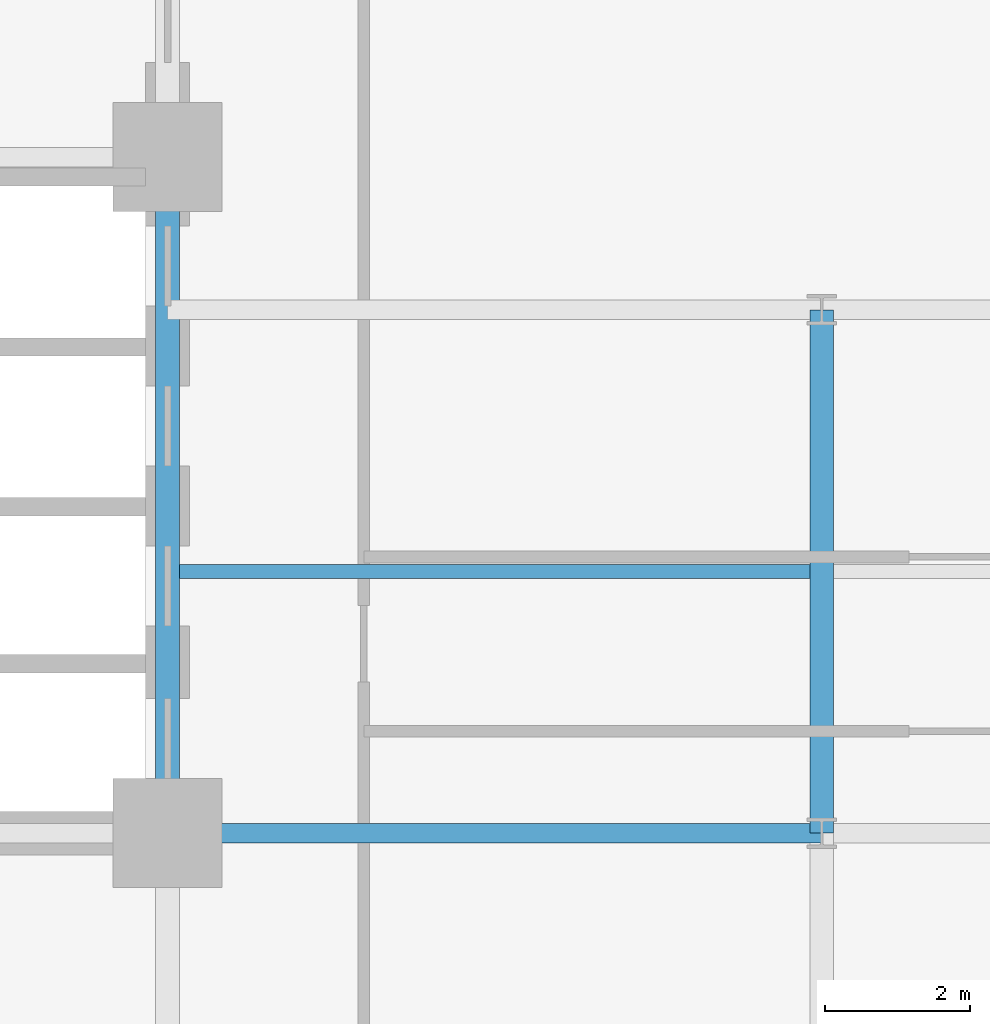
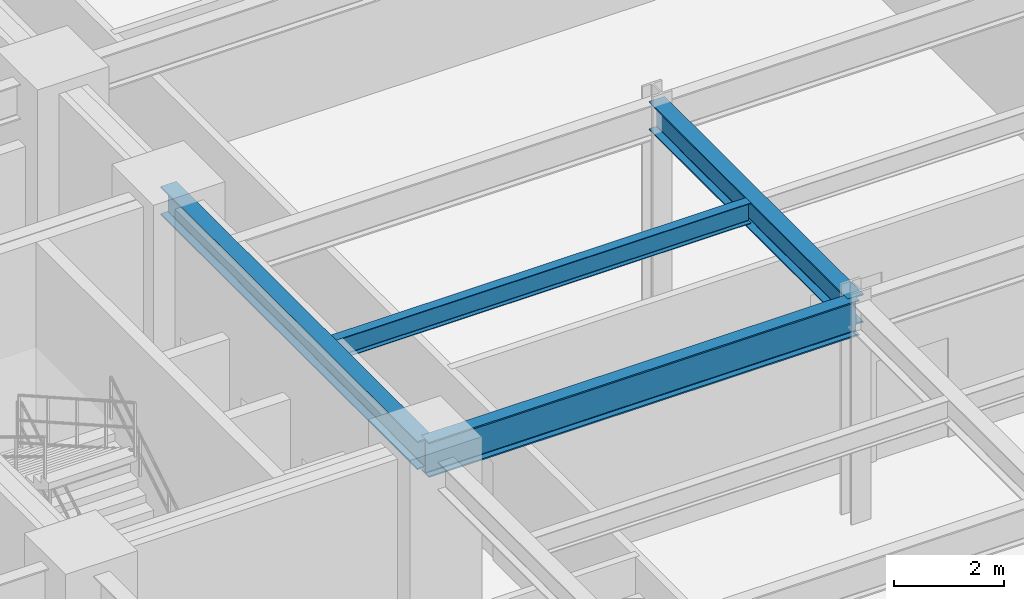
# One storey, part 7 of 23: 4 beams.
"""IFC4 building model written with IfcOpenShell, lengths in metres."""

from ifc_helpers import new_model, entity, si_unit, converted_unit, direction, frame, origin_with_axes, origin_2d_with_axis, place, context, subcontext, project, spatial, i_section, extrude, material, material_profile, profile_set, type_object, element, save


model = new_model("IFC4")

# Units and contexts
model_context = context("Model", 3, precision=1e-05, world=origin_with_axes(), true_north=direction((0.0, 1.0)))
body_context = subcontext(model_context, "Body", "Model", "MODEL_VIEW")
ifc_project = project(units=[si_unit("LENGTHUNIT", "METRE"), si_unit("AREAUNIT", "SQUARE_METRE"), si_unit("VOLUMEUNIT", "CUBIC_METRE"), converted_unit("PLANEANGLEUNIT", "DEGREE", entity("IfcPlaneAngleMeasure", 0.017453292519943295), si_unit("PLANEANGLEUNIT", "RADIAN"), dimensions=[0, 0, 0, 0, 0, 0, 0]), si_unit("MASSUNIT", "GRAM", prefix="KILO"), si_unit("THERMODYNAMICTEMPERATUREUNIT", "KELVIN")], contexts=[model_context])

# Site, building, storey
site_placement = place(None, origin_with_axes())
site = spatial("IfcSite", under=ifc_project, at=site_placement, CompositionType="ELEMENT")
building_placement = place(site_placement, origin_with_axes())
building = spatial("IfcBuilding", under=site, at=building_placement, Name="Varnlund Millrace Tower", CompositionType="ELEMENT")
storey_placement = place(building_placement, frame((0.0, 0.0, 5.7), z_axis=(0.0, 0.0, 1.0), x_axis=(1.0, 0.0, 0.0)))
storey = spatial("IfcBuildingStorey", under=building, at=storey_placement, Name="L01", CompositionType="ELEMENT", Elevation=5.7)

# Beams
ifc_material = material(Name="Steel ASTM A992 Grade 50", Category="steel")
ifc_material_profile_1 = material_profile(ifc_material, i_section(OverallWidth=0.328, OverallDepth=0.628, WebThickness=0.0165, FlangeThickness=0.0277, FilletRadius=0.018, at=origin_2d_with_axis()), Name="Steel ASTM A992 Grade 50")
ifc_profile_set_1 = profile_set([ifc_material_profile_1], Name="Steel ASTM A992 Grade 50")
beam_type_1 = type_object("IfcBeamType", Name="Type-Girder-W24X146", PredefinedType="USERDEFINED", material=ifc_profile_set_1)
beam_1_placement = place(storey_placement, frame((18.6, 10.8, 4.546), z_axis=(0.0, 1.0, 0.0), x_axis=(-1.0, 0.0, 0.0)))
element("IfcBeam", 1, at=beam_1_placement, inside=storey, type_object=beam_type_1, Name="Type-Girder-W24X146", ObjectType="GIRDER", PredefinedType="USERDEFINED", context=body_context, shape_type="SweptSolid", body=[
    extrude(i_section(OverallWidth=0.328, OverallDepth=0.628, WebThickness=0.0165, FlangeThickness=0.0277, FilletRadius=0.018, at=origin_2d_with_axis()), origin_with_axes(), (0.0, 0.0, 1.0), 9.3),
])
beam_2_placement = place(storey_placement, frame((27.6, 10.8, 4.546), z_axis=(0.0, 1.0, 0.0), x_axis=(-1.0, 0.0, 0.0)))
element("IfcBeam", 2, at=beam_2_placement, inside=storey, type_object=beam_type_1, Name="Type-Girder-W24X146", ObjectType="GIRDER", PredefinedType="USERDEFINED", context=body_context, shape_type="SweptSolid", body=[
    extrude(i_section(OverallWidth=0.328, OverallDepth=0.628, WebThickness=0.0165, FlangeThickness=0.0277, FilletRadius=0.018, at=origin_2d_with_axis()), origin_with_axes(), (0.0, 0.0, 1.0), 7.2),
])
ifc_material_profile_2 = material_profile(ifc_material, i_section(OverallWidth=0.266, OverallDepth=0.779, WebThickness=0.0165, FlangeThickness=0.03, FilletRadius=0.02, at=origin_2d_with_axis()), Name="Steel ASTM A992 Grade 50")
ifc_profile_set_2 = profile_set([ifc_material_profile_2], Name="Steel ASTM A992 Grade 50")
beam_type_2 = type_object("IfcBeamType", Name="Type-Girder-W30X148", PredefinedType="USERDEFINED", material=ifc_profile_set_2)
beam_3_placement = place(storey_placement, frame((18.6, 10.8, 4.4705), z_axis=(1.0, 0.0, 0.0), x_axis=(0.0, 1.0, 0.0)))
element("IfcBeam", 3, at=beam_3_placement, inside=storey, type_object=beam_type_2, Name="Type-Girder-W30X148", ObjectType="GIRDER", PredefinedType="USERDEFINED", context=body_context, shape_type="SweptSolid", body=[
    extrude(i_section(OverallWidth=0.266, OverallDepth=0.779, WebThickness=0.0165, FlangeThickness=0.03, FilletRadius=0.02, at=origin_2d_with_axis()), origin_with_axes(), (0.0, 0.0, 1.0), 9.0),
])
ifc_material_profile_3 = material_profile(ifc_material, i_section(OverallWidth=0.191, OverallDepth=0.457, WebThickness=0.009, FlangeThickness=0.0145, FilletRadius=0.013, at=origin_2d_with_axis()), Name="Steel ASTM A992 Grade 50")
ifc_profile_set_3 = profile_set([ifc_material_profile_3], Name="Steel ASTM A992 Grade 50")
beam_type_3 = type_object("IfcBeamType", Name="Type-Joist-W18X50", PredefinedType="JOIST", material=ifc_profile_set_3)
beam_4_placement = place(storey_placement, frame((18.764, 14.4, 4.6315), z_axis=(1.0, 0.0, 0.0), x_axis=(0.0, 1.0, 0.0)))
element("IfcBeam", 4, at=beam_4_placement, inside=storey, type_object=beam_type_3, Name="Type-Joist-W18X50", PredefinedType="JOIST", context=body_context, shape_type="SweptSolid", body=[
    extrude(i_section(OverallWidth=0.191, OverallDepth=0.457, WebThickness=0.009, FlangeThickness=0.0145, FilletRadius=0.013, at=origin_2d_with_axis()), origin_with_axes(), (0.0, 0.0, 1.0), 8.672),
])

save(model, "model.ifc")
